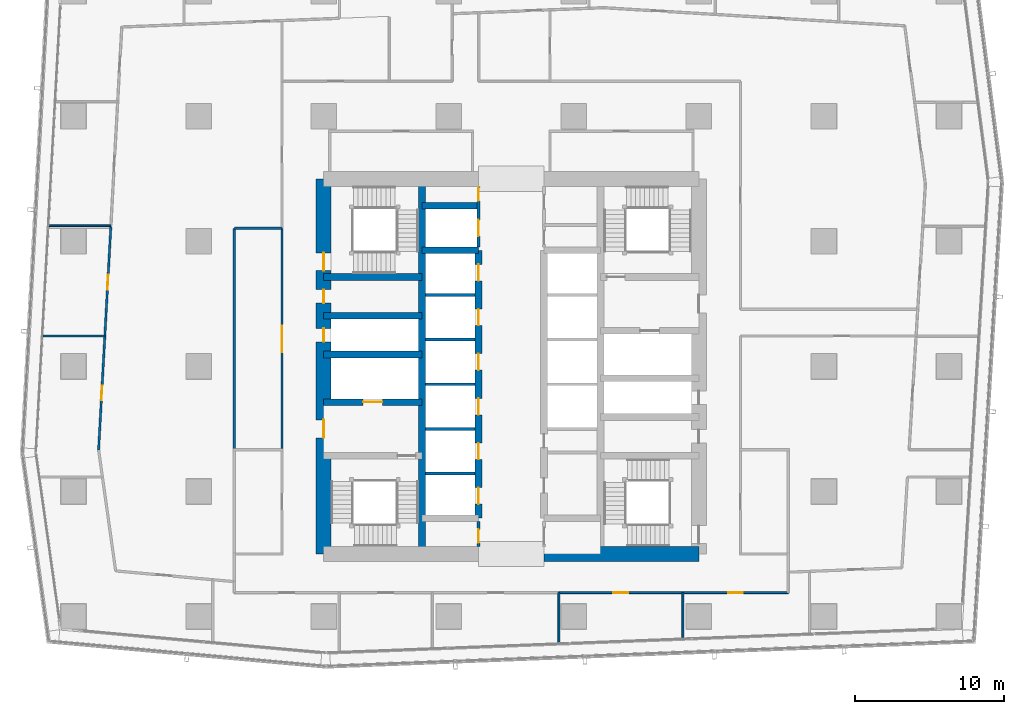
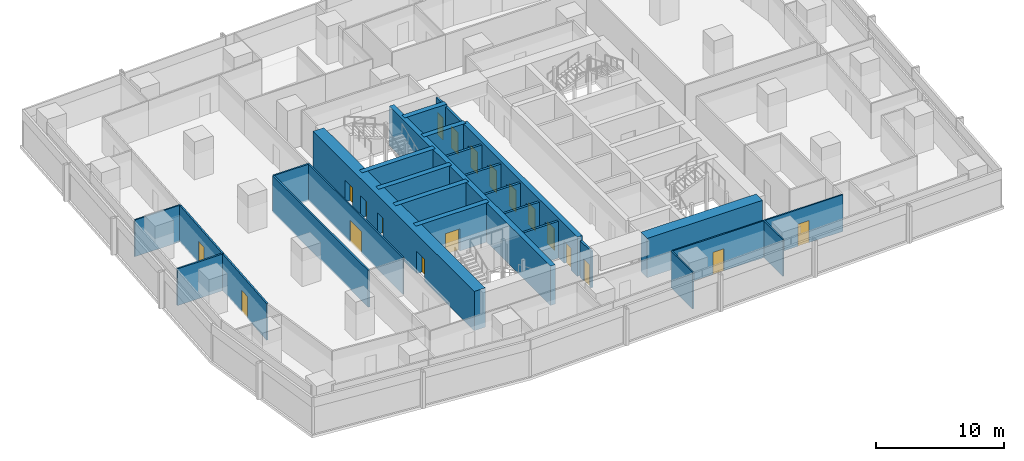
# One storey, part 29 of 40: 28 walls, 19 doors, 19 openings.
"""IFC4 building model written with IfcOpenShell, lengths in metres."""

import ifcopenshell
import ifcopenshell.guid

model = None  # the IFC model being written
_history = None  # IfcOwnerHistory: only IFC2X3 demands one
_inside = {}  # id of a spatial element -> (the spatial element, [elements in it])
_under = {}  # id of a project, library or spatial element -> (it, [spatial elements below it])
_declared = {}  # id of a project -> (the project, [libraries it declares])
_typed = {}  # id of a type object -> (the type object, [elements of that type])
_made_of = {}  # id of a material, layer set ... -> (it, [elements and type objects made of it])


def new_model(schema):
    """Start an empty IFC model of exactly this schema.

    Asked for "IFC4X3", IfcOpenShell would pick the latest addendum, in which some entities
    have other attributes; the version numbers below select the first issue.
    IFC2X3 requires an IfcOwnerHistory on every rooted entity: one is made here for all.
    """
    global model, _history
    if schema == "IFC4X3":
        model = ifcopenshell.file(schema_version=(4, 3, 0, 0))
    else:
        model = ifcopenshell.file(schema=schema)
    _inside.clear()
    _under.clear()
    _declared.clear()
    _typed.clear()
    _made_of.clear()
    _history = None
    if model.schema == "IFC2X3":
        org = make("IfcOrganization", Name="unknown")
        user = make(
            "IfcPersonAndOrganization",
            ThePerson=make("IfcPerson", FamilyName="unknown"),
            TheOrganization=org,
        )
        app = make(
            "IfcApplication",
            ApplicationDeveloper=org,
            Version="unknown",
            ApplicationFullName="unknown",
            ApplicationIdentifier="unknown",
        )
        _history = make(
            "IfcOwnerHistory",
            OwningUser=user,
            OwningApplication=app,
            ChangeAction="ADDED",
            CreationDate=0,
        )
    return model


def make(cls, **values):
    """One entity of the class cls with the attributes given. An attribute that is None is left unset."""
    return model.create_entity(
        cls, **{name: value for name, value in values.items() if value is not None}
    )


def rooted(cls, **values):
    """An entity with a GlobalId (a new one), such as an element, a storey or a relation."""
    return make(cls, GlobalId=ifcopenshell.guid.new(), OwnerHistory=_history, **values)


def si_unit(unit_type, name, prefix=None):
    """IfcSIUnit, for example si_unit("LENGTHUNIT", "METRE", prefix="MILLI")."""
    return make("IfcSIUnit", UnitType=unit_type, Prefix=prefix, Name=name)


def assignment(units):
    """IfcUnitAssignment: the units of a project."""
    return None if units is None else make("IfcUnitAssignment", Units=units)


def point(xyz):
    """IfcCartesianPoint."""
    return None if xyz is None else make("IfcCartesianPoint", Coordinates=xyz)


def direction(xyz):
    """IfcDirection."""
    return None if xyz is None else make("IfcDirection", DirectionRatios=xyz)


def frame(location, z_axis=None, x_axis=None):
    """IfcAxis2Placement3D, a coordinate frame: its origin and axes. An axis left out is left unset."""
    return make(
        "IfcAxis2Placement3D",
        Location=point(location),
        Axis=direction(z_axis),
        RefDirection=direction(x_axis),
    )


def frame_2d(location, x_axis=None):
    """IfcAxis2Placement2D, a coordinate frame in the plane: its origin and x axis."""
    return make(
        "IfcAxis2Placement2D", Location=point(location), RefDirection=direction(x_axis)
    )


def origin():
    """The frame at (0, 0, 0) with its axes left unset."""
    return frame((0.0, 0.0, 0.0))


def place(relative_to, where):
    """IfcLocalPlacement: puts the frame where relative to a parent placement (None: the world)."""
    return make(
        "IfcLocalPlacement", PlacementRelTo=relative_to, RelativePlacement=where
    )


def context(
    kind, dimensions, precision=None, world=None, true_north=None, identifier=None
):
    """IfcGeometricRepresentationContext, for example the 3D "Model" context."""
    return make(
        "IfcGeometricRepresentationContext",
        ContextIdentifier=identifier,
        ContextType=kind,
        CoordinateSpaceDimension=dimensions,
        Precision=precision,
        WorldCoordinateSystem=world,
        TrueNorth=true_north,
    )


def subcontext(parent, identifier, kind, view, scale=None):
    """IfcGeometricRepresentationSubContext, for example "Body" below "Model"."""
    return make(
        "IfcGeometricRepresentationSubContext",
        ContextIdentifier=identifier,
        ContextType=kind,
        ParentContext=parent,
        TargetScale=scale,
        TargetView=view,
    )


def project(units=None, contexts=None):
    """IfcProject with its units and contexts."""
    return rooted(
        "IfcProject",
        Name="project",
        RepresentationContexts=contexts,
        UnitsInContext=assignment(units),
    )


def spatial(cls, under=None, at=None, **own):
    """A site, building, storey or space (cls), placed at a placement, below another one or the project."""
    s = rooted(cls, ObjectPlacement=at, **own)
    if under is not None:
        _under.setdefault(under.id(), (under, []))[1].append(s)
    return s


def profile(cls, at=None, kind="AREA", **sizes):
    """A parametric profile (cls). Its sizes go by their IFC names, for example OverallWidth=200.0."""
    return make(cls, ProfileType=kind, Position=at, **sizes)


def rectangle(**sizes):
    """IfcRectangleProfileDef."""
    return profile("IfcRectangleProfileDef", **sizes)


def extrude(swept, where, along, depth):
    """IfcExtrudedAreaSolid: the profile swept, set in the frame where, extruded along a direction by depth."""
    return make(
        "IfcExtrudedAreaSolid",
        SweptArea=swept,
        Position=where,
        ExtrudedDirection=direction(along),
        Depth=depth,
    )


def shape(context_of_items, identifier, shape_type, items):
    """IfcShapeRepresentation: the items that make up one representation, for example the "Body"."""
    return make(
        "IfcShapeRepresentation",
        ContextOfItems=context_of_items,
        RepresentationIdentifier=identifier,
        RepresentationType=shape_type,
        Items=items,
    )


def material(Name=None, Category=None):
    """IfcMaterial."""
    return make("IfcMaterial", Name=Name, Category=Category)


def layer(
    of_material, thickness, ventilated=None, Name=None, Category=None, Priority=None
):
    """IfcMaterialLayer: one layer of a wall or slab, of a material (None: an air gap)."""
    return make(
        "IfcMaterialLayer",
        Material=of_material,
        LayerThickness=thickness,
        IsVentilated=ventilated,
        Name=Name,
        Category=Category,
        Priority=Priority,
    )


def layer_set(layers, Name=None):
    """IfcMaterialLayerSet."""
    return make("IfcMaterialLayerSet", MaterialLayers=layers, LayerSetName=Name)


def made_of(thing, what):
    """Note that an element or type object is made of a material, layer set ...; save() writes the relation."""
    if what is not None:
        _made_of.setdefault(what.id(), (what, []))[1].append(thing)
    return thing


def type_object(cls, material=None, **own):
    """A type object (cls), such as IfcWallType, which elements share."""
    return made_of(rooted(cls, **own), material)


def element(
    cls,
    number,
    at=None,
    inside=None,
    cuts=None,
    type_object=None,
    material=None,
    context=None,
    identifier="Body",
    shape_type=None,
    held_by="IfcProductDefinitionShape",
    body=None,
    shapes=None,
    **own,
):
    """One element of the class cls, such as IfcWall. Its Tag is "e" and its number.

    at: its placement. inside: the storey or other place that contains it. cuts: it is an
    opening in that element (IfcRelVoidsElement). A single representation is given by context,
    identifier, shape_type and body (its items); several are given by shapes. held_by: the class
    of the entity that holds the representations. save() writes the other relations.
    """
    e = rooted(cls, Tag="e%d" % number, ObjectPlacement=at, **own)
    if body is not None:
        shapes = [shape(context, identifier, shape_type, body)]
    if shapes is not None:
        e.Representation = make(held_by, Representations=shapes)
    if inside is not None:
        _inside.setdefault(inside.id(), (inside, []))[1].append(e)
    if cuts is not None:
        rooted(
            "IfcRelVoidsElement", RelatingBuildingElement=cuts, RelatedOpeningElement=e
        )
    if type_object is not None:
        _typed.setdefault(type_object.id(), (type_object, []))[1].append(e)
    return made_of(e, material)


def fill(opening, filler):
    """IfcRelFillsElement: the door or window that sits in an opening."""
    return rooted(
        "IfcRelFillsElement",
        RelatingOpeningElement=opening,
        RelatedBuildingElement=filler,
    )


def aggregate(whole, parts):
    """IfcRelAggregates: a whole, such as a stair, and the parts it consists of."""
    return rooted("IfcRelAggregates", RelatingObject=whole, RelatedObjects=parts)


def save(model, path):
    """Write the relations noted so far, then the file.

    IfcRelAggregates (storeys below a building ...), IfcRelContainedInSpatialStructure (elements
    in a storey), IfcRelDefinesByType, IfcRelAssociatesMaterial and IfcRelDeclares: one each for
    every whole, place, type object, material and project.
    """
    for whole, parts in _under.values():
        aggregate(whole, parts)
    for where, things in _inside.values():
        rooted(
            "IfcRelContainedInSpatialStructure",
            RelatedElements=things,
            RelatingStructure=where,
        )
    for kind, things in _typed.values():
        rooted("IfcRelDefinesByType", RelatedObjects=things, RelatingType=kind)
    for what, things in _made_of.values():
        rooted("IfcRelAssociatesMaterial", RelatedObjects=things, RelatingMaterial=what)
    for by, libraries in _declared.values():
        rooted("IfcRelDeclares", RelatingContext=by, RelatedDefinitions=libraries)
    model.write(path)


model = new_model("IFC4")

# Units and contexts
model_context = context("Model", 3, precision=1e-05, world=origin(), true_north=direction((0.0, 1.0)))
body_context = subcontext(model_context, "Body", "Model", "MODEL_VIEW")
ifc_project = project(units=[si_unit("LENGTHUNIT", "METRE"), si_unit("AREAUNIT", "SQUARE_METRE"), si_unit("VOLUMEUNIT", "CUBIC_METRE"), si_unit("PLANEANGLEUNIT", "RADIAN"), si_unit("MASSUNIT", "GRAM", prefix="KILO")], contexts=[model_context])

# Site, building, storey
site_placement = place(None, origin())
site = spatial("IfcSite", under=ifc_project, at=site_placement, CompositionType="ELEMENT")
building_placement = place(site_placement, origin())
building = spatial("IfcBuilding", under=site, at=building_placement, Name="Rekha Terrace Tower", CompositionType="ELEMENT")
storey_placement = place(building_placement, frame((0.0, 0.0, 121.550048828125)))
storey = spatial("IfcBuildingStorey", under=building, at=storey_placement, Name="L30", CompositionType="ELEMENT", Elevation=121.550048828125)

# Wall
ifc_material_1 = material(Name="Concrete M70", Category="concrete")
ifc_layer_1 = layer(ifc_material_1, 0.449951171875)
ifc_layer_set_1 = layer_set([ifc_layer_1], Name="Concrete M70")
wall_type_1 = type_object("IfcWallType", Name="CI2 450 core internal shear wall", PredefinedType="SHEAR", material=ifc_layer_set_1)
wall_1_placement = place(storey_placement, frame((31.800048828125, 21.0, 0.0), z_axis=(0.0, 0.0, 1.0), x_axis=(0.0, 1.0, 0.0)))
element("IfcWall", 1, at=wall_1_placement, inside=storey, type_object=wall_type_1, Name="Core wall X318 L30", PredefinedType="SHEAR", context=body_context, shape_type="SweptSolid", body=[
    extrude(rectangle(XDim=25.199951171875, YDim=0.449951171875, at=frame_2d((12.60009765625, 0.0))), origin(), (0.0, 0.0, 1.0), 3.75),
])

# Wall, openings, doors
wall_2_placement = place(storey_placement, frame((35.60009765625, 23.39990234375, 0.0), z_axis=(0.0, 0.0, 1.0), x_axis=(0.0, 1.0, 0.0)))
wall_2 = element("IfcWall", 2, at=wall_2_placement, inside=storey, type_object=wall_type_1, Name="Core wall X356 L30", PredefinedType="SHEAR", context=body_context, shape_type="SweptSolid", body=[
    extrude(rectangle(XDim=18.0, YDim=0.449951171875, at=frame_2d((9.0, 0.0))), origin(), (0.0, 0.0, 1.0), 3.75),
])
opening_1_placement = place(wall_2_placement, frame((0.949951171875, 0.0, 0.0)))
opening_1 = element("IfcOpeningElement", 3, at=opening_1_placement, cuts=wall_2, Name="Opening LD1", PredefinedType="OPENING", context=body_context, shape_type="SweptSolid", body=[
    extrude(rectangle(XDim=1.10009765625, YDim=2.10009765625, at=frame_2d((0.550048828125, 1.050048828125))), frame((0.0, 0.23486328125, 0.0), z_axis=(0.0, -1.0, 0.0), x_axis=(1.0, 0.0, 0.0)), (0.0, 0.0, 1.0), 0.469970703125),
])
opening_2_placement = place(wall_2_placement, frame((3.949951171875, 0.0, 0.0)))
opening_2 = element("IfcOpeningElement", 4, at=opening_2_placement, cuts=wall_2, Name="Opening LD1", PredefinedType="OPENING", context=body_context, shape_type="SweptSolid", body=[
    extrude(rectangle(XDim=1.10009765625, YDim=2.10009765625, at=frame_2d((0.550048828125, 1.050048828125))), frame((0.0, 0.23486328125, 0.0), z_axis=(0.0, -1.0, 0.0), x_axis=(1.0, 0.0, 0.0)), (0.0, 0.0, 1.0), 0.469970703125),
])
opening_3_placement = place(wall_2_placement, frame((6.949951171875, 0.0, 0.0)))
opening_3 = element("IfcOpeningElement", 5, at=opening_3_placement, cuts=wall_2, Name="Opening LD1", PredefinedType="OPENING", context=body_context, shape_type="SweptSolid", body=[
    extrude(rectangle(XDim=1.10009765625, YDim=2.10009765625, at=frame_2d((0.550048828125, 1.050048828125))), frame((0.0, 0.23486328125, 0.0), z_axis=(0.0, -1.0, 0.0), x_axis=(1.0, 0.0, 0.0)), (0.0, 0.0, 1.0), 0.469970703125),
])
opening_4_placement = place(wall_2_placement, frame((9.949951171875, 0.0, 0.0)))
opening_4 = element("IfcOpeningElement", 6, at=opening_4_placement, cuts=wall_2, Name="Opening LD1", PredefinedType="OPENING", context=body_context, shape_type="SweptSolid", body=[
    extrude(rectangle(XDim=1.10009765625, YDim=2.10009765625, at=frame_2d((0.550048828125, 1.050048828125))), frame((0.0, 0.23486328125, 0.0), z_axis=(0.0, -1.0, 0.0), x_axis=(1.0, 0.0, 0.0)), (0.0, 0.0, 1.0), 0.469970703125),
])
opening_5_placement = place(wall_2_placement, frame((12.949951171875, 0.0, 0.0)))
opening_5 = element("IfcOpeningElement", 7, at=opening_5_placement, cuts=wall_2, Name="Opening LD1", PredefinedType="OPENING", context=body_context, shape_type="SweptSolid", body=[
    extrude(rectangle(XDim=1.10009765625, YDim=2.10009765625, at=frame_2d((0.550048828125, 1.050048828125))), frame((0.0, 0.23486328125, 0.0), z_axis=(0.0, -1.0, 0.0), x_axis=(1.0, 0.0, 0.0)), (0.0, 0.0, 1.0), 0.469970703125),
])
opening_6_placement = place(wall_2_placement, frame((15.949951171875, 0.0, 0.0)))
opening_6 = element("IfcOpeningElement", 8, at=opening_6_placement, cuts=wall_2, Name="Opening LD1", PredefinedType="OPENING", context=body_context, shape_type="SweptSolid", body=[
    extrude(rectangle(XDim=1.10009765625, YDim=2.10009765625, at=frame_2d((0.550048828125, 1.050048828125))), frame((0.0, 0.23486328125, 0.0), z_axis=(0.0, -1.0, 0.0), x_axis=(1.0, 0.0, 0.0)), (0.0, 0.0, 1.0), 0.469970703125),
])
ifc_material_2 = material(Name="Stainless steel sliding landing door", Category="steel")
door_type_1 = type_object("IfcDoorType", Name="LD1 1100x2100 lift landing door", OperationType="SLIDING_TO_LEFT", PredefinedType="USERDEFINED", material=ifc_material_2)
door_1_placement = place(opening_1_placement, origin())
door_1 = element("IfcDoor", 9, at=door_1_placement, inside=storey, type_object=door_type_1, Name="Lift B1 landing door L30", ObjectType="LIFT LANDING DOOR", OperationType="SLIDING_TO_LEFT", OverallHeight=2.10009765625, OverallWidth=1.10009765625, PredefinedType="USERDEFINED", context=body_context, shape_type="SweptSolid", body=[
    extrude(rectangle(XDim=1.10009765625, YDim=2.10009765625, at=frame_2d((0.550048828125, 1.050048828125))), frame((0.0, 0.02490234375, 0.0), z_axis=(0.0, -1.0, 0.0), x_axis=(1.0, 0.0, 0.0)), (0.0, 0.0, 1.0), 0.050048828125),
])
fill(opening_1, door_1)
door_2_placement = place(opening_2_placement, origin())
door_2 = element("IfcDoor", 10, at=door_2_placement, inside=storey, type_object=door_type_1, Name="Lift B2 landing door L30", ObjectType="LIFT LANDING DOOR", OperationType="SLIDING_TO_LEFT", OverallHeight=2.10009765625, OverallWidth=1.10009765625, PredefinedType="USERDEFINED", context=body_context, shape_type="SweptSolid", body=[
    extrude(rectangle(XDim=1.10009765625, YDim=2.10009765625, at=frame_2d((0.550048828125, 1.050048828125))), frame((0.0, 0.02490234375, 0.0), z_axis=(0.0, -1.0, 0.0), x_axis=(1.0, 0.0, 0.0)), (0.0, 0.0, 1.0), 0.050048828125),
])
fill(opening_2, door_2)
door_3_placement = place(opening_3_placement, origin())
door_3 = element("IfcDoor", 11, at=door_3_placement, inside=storey, type_object=door_type_1, Name="Lift B3 landing door L30", ObjectType="LIFT LANDING DOOR", OperationType="SLIDING_TO_LEFT", OverallHeight=2.10009765625, OverallWidth=1.10009765625, PredefinedType="USERDEFINED", context=body_context, shape_type="SweptSolid", body=[
    extrude(rectangle(XDim=1.10009765625, YDim=2.10009765625, at=frame_2d((0.550048828125, 1.050048828125))), frame((0.0, 0.02490234375, 0.0), z_axis=(0.0, -1.0, 0.0), x_axis=(1.0, 0.0, 0.0)), (0.0, 0.0, 1.0), 0.050048828125),
])
fill(opening_3, door_3)
door_4_placement = place(opening_4_placement, origin())
door_4 = element("IfcDoor", 12, at=door_4_placement, inside=storey, type_object=door_type_1, Name="Lift B4 landing door L30", ObjectType="LIFT LANDING DOOR", OperationType="SLIDING_TO_LEFT", OverallHeight=2.10009765625, OverallWidth=1.10009765625, PredefinedType="USERDEFINED", context=body_context, shape_type="SweptSolid", body=[
    extrude(rectangle(XDim=1.10009765625, YDim=2.10009765625, at=frame_2d((0.550048828125, 1.050048828125))), frame((0.0, 0.02490234375, 0.0), z_axis=(0.0, -1.0, 0.0), x_axis=(1.0, 0.0, 0.0)), (0.0, 0.0, 1.0), 0.050048828125),
])
fill(opening_4, door_4)
door_5_placement = place(opening_5_placement, origin())
door_5 = element("IfcDoor", 13, at=door_5_placement, inside=storey, type_object=door_type_1, Name="Lift B5 landing door L30", ObjectType="LIFT LANDING DOOR", OperationType="SLIDING_TO_LEFT", OverallHeight=2.10009765625, OverallWidth=1.10009765625, PredefinedType="USERDEFINED", context=body_context, shape_type="SweptSolid", body=[
    extrude(rectangle(XDim=1.10009765625, YDim=2.10009765625, at=frame_2d((0.550048828125, 1.050048828125))), frame((0.0, 0.02490234375, 0.0), z_axis=(0.0, -1.0, 0.0), x_axis=(1.0, 0.0, 0.0)), (0.0, 0.0, 1.0), 0.050048828125),
])
fill(opening_5, door_5)
door_6_placement = place(opening_6_placement, origin())
door_6 = element("IfcDoor", 14, at=door_6_placement, inside=storey, type_object=door_type_1, Name="Lift B6 landing door L30", ObjectType="LIFT LANDING DOOR", OperationType="SLIDING_TO_LEFT", OverallHeight=2.10009765625, OverallWidth=1.10009765625, PredefinedType="USERDEFINED", context=body_context, shape_type="SweptSolid", body=[
    extrude(rectangle(XDim=1.10009765625, YDim=2.10009765625, at=frame_2d((0.550048828125, 1.050048828125))), frame((0.0, 0.02490234375, 0.0), z_axis=(0.0, -1.0, 0.0), x_axis=(1.0, 0.0, 0.0)), (0.0, 0.0, 1.0), 0.050048828125),
])
fill(opening_6, door_6)

# Walls
for number, where, z_axis, x_axis, name in (
    (15, (31.800048828125, 41.39990234375, 0.0), (0.0, 0.0, 1.0), (1.0, 0.0, 0.0), "Core wall Y414W L30"),
    (16, (31.800048828125, 44.39990234375, 0.0), (0.0, 0.0, 1.0), (1.0, 0.0, 0.0), "Core wall Y444W L30"),
):
    element("IfcWall", number, at=place(storey_placement, frame(where, z_axis=z_axis, x_axis=x_axis)), inside=storey, type_object=wall_type_1, Name=name, PredefinedType="SHEAR", context=body_context, shape_type="SweptSolid", body=[
        extrude(rectangle(XDim=3.800048828125, YDim=0.449951171875, at=frame_2d((1.89990234375, 0.0))), origin(), (0.0, 0.0, 1.0), 3.75),
    ])

# Wall, opening, door
wall_3_placement = place(storey_placement, frame((25.199951171875, 31.199951171875, 0.0), z_axis=(0.0, 0.0, 1.0), x_axis=(1.0, 0.0, 0.0)))
wall_3 = element("IfcWall", 17, at=wall_3_placement, inside=storey, type_object=wall_type_1, Name="Core wall Y312W L30", PredefinedType="SHEAR", context=body_context, shape_type="SweptSolid", body=[
    extrude(rectangle(XDim=6.60009765625, YDim=0.449951171875, at=frame_2d((3.300048828125, 0.0))), origin(), (0.0, 0.0, 1.0), 3.75),
])
opening_7_placement = place(wall_3_placement, frame((2.64990234375, 0.0, 0.0)))
opening_7 = element("IfcOpeningElement", 18, at=opening_7_placement, cuts=wall_3, Name="Opening LD2", PredefinedType="OPENING", context=body_context, shape_type="SweptSolid", body=[
    extrude(rectangle(XDim=1.300048828125, YDim=2.10009765625, at=frame_2d((0.64990234375, 1.050048828125))), frame((0.0, 0.23486328125, 0.0), z_axis=(0.0, -1.0, 0.0), x_axis=(1.0, 0.0, 0.0)), (0.0, 0.0, 1.0), 0.469970703125),
])
door_type_2 = type_object("IfcDoorType", Name="LD2 1300x2100 fire lift landing door", OperationType="SLIDING_TO_LEFT", PredefinedType="USERDEFINED", material=ifc_material_2)
door_7_placement = place(opening_7_placement, origin())
door_7 = element("IfcDoor", 19, at=door_7_placement, inside=storey, type_object=door_type_2, Name="Lift FL1 landing door L30", ObjectType="LIFT LANDING DOOR", OperationType="SLIDING_TO_LEFT", OverallHeight=2.10009765625, OverallWidth=1.300048828125, PredefinedType="USERDEFINED", context=body_context, shape_type="SweptSolid", body=[
    extrude(rectangle(XDim=1.300048828125, YDim=2.10009765625, at=frame_2d((0.64990234375, 1.050048828125))), frame((0.0, 0.02490234375, 0.0), z_axis=(0.0, -1.0, 0.0), x_axis=(1.0, 0.0, 0.0)), (0.0, 0.0, 1.0), 0.050048828125),
])
fill(opening_7, door_7)

# Walls
for number, where, z_axis, x_axis, name in (
    (20, (25.199951171875, 34.39990234375, 0.0), (0.0, 0.0, 1.0), (1.0, 0.0, 0.0), "Core wall Y344W L30"),
    (21, (25.199951171875, 37.0, 0.0), (0.0, 0.0, 1.0), (1.0, 0.0, 0.0), "Core wall Y370W L30"),
    (22, (25.199951171875, 39.60009765625, 0.0), (0.0, 0.0, 1.0), (1.0, 0.0, 0.0), "Core wall Y396W L30"),
):
    element("IfcWall", number, at=place(storey_placement, frame(where, z_axis=z_axis, x_axis=x_axis)), inside=storey, type_object=wall_type_1, Name=name, PredefinedType="SHEAR", context=body_context, shape_type="SweptSolid", body=[
        extrude(rectangle(XDim=6.60009765625, YDim=0.449951171875, at=frame_2d((3.300048828125, 0.0))), origin(), (0.0, 0.0, 1.0), 3.75),
    ])
ifc_layer_2 = layer(ifc_material_1, 1.0)
ifc_layer_set_2 = layer_set([ifc_layer_2], Name="Concrete M70")
wall_type_2 = type_object("IfcWallType", Name="SW2 1000 core outer shear wall", PredefinedType="SHEAR", material=ifc_layer_set_2)
wall_4_placement = place(storey_placement, frame((40.0, 21.0, 0.0), z_axis=(0.0, 0.0, 1.0), x_axis=(1.0, 0.0, 0.0)))
element("IfcWall", 23, at=wall_4_placement, inside=storey, type_object=wall_type_2, Name="Core wall S2 L30", PredefinedType="SHEAR", context=body_context, shape_type="SweptSolid", body=[
    extrude(rectangle(XDim=10.39990234375, YDim=1.0, at=frame_2d((5.199951171875, 0.0))), origin(), (0.0, 0.0, 1.0), 3.75),
])

# Wall, openings, doors
wall_5_placement = place(storey_placement, frame((25.199951171875, 21.0, 0.0), z_axis=(0.0, 0.0, 1.0), x_axis=(0.0, 1.0, 0.0)))
wall_5 = element("IfcWall", 24, at=wall_5_placement, inside=storey, type_object=wall_type_2, Name="Core wall W L30", PredefinedType="SHEAR", context=body_context, shape_type="SweptSolid", body=[
    extrude(rectangle(XDim=25.199951171875, YDim=1.0, at=frame_2d((12.60009765625, 0.0))), origin(), (0.0, 0.0, 1.0), 3.75),
])
opening_8_placement = place(wall_5_placement, frame((7.800048828125, 0.0, 0.0)))
opening_8 = element("IfcOpeningElement", 25, at=opening_8_placement, cuts=wall_5, Name="Opening D2", PredefinedType="OPENING", context=body_context, shape_type="SweptSolid", body=[
    extrude(rectangle(XDim=1.199951171875, YDim=2.10009765625, at=frame_2d((0.60009765625, 1.050048828125))), frame((0.0, 0.510009765625, 0.0), z_axis=(0.0, -1.0, 0.0), x_axis=(1.0, 0.0, 0.0)), (0.0, 0.0, 1.0), 1.02001953125),
])
opening_9_placement = place(wall_5_placement, frame((14.25, 0.0, 0.0)))
opening_9 = element("IfcOpeningElement", 26, at=opening_9_placement, cuts=wall_5, Name="Opening D5", PredefinedType="OPENING", context=body_context, shape_type="SweptSolid", body=[
    extrude(rectangle(XDim=0.89990234375, YDim=2.10009765625, at=frame_2d((0.449951171875, 1.050048828125))), frame((0.0, 0.510009765625, 0.0), z_axis=(0.0, -1.0, 0.0), x_axis=(1.0, 0.0, 0.0)), (0.0, 0.0, 1.0), 1.02001953125),
])
opening_10_placement = place(wall_5_placement, frame((16.85009765625, 0.0, 0.0)))
opening_10 = element("IfcOpeningElement", 27, at=opening_10_placement, cuts=wall_5, Name="Opening D5", PredefinedType="OPENING", context=body_context, shape_type="SweptSolid", body=[
    extrude(rectangle(XDim=0.89990234375, YDim=2.10009765625, at=frame_2d((0.449951171875, 1.050048828125))), frame((0.0, 0.510009765625, 0.0), z_axis=(0.0, -1.0, 0.0), x_axis=(1.0, 0.0, 0.0)), (0.0, 0.0, 1.0), 1.02001953125),
])
opening_11_placement = place(wall_5_placement, frame((19.02490234375, 0.0, 0.0)))
opening_11 = element("IfcOpeningElement", 28, at=opening_11_placement, cuts=wall_5, Name="Opening D1", PredefinedType="OPENING", context=body_context, shape_type="SweptSolid", body=[
    extrude(rectangle(XDim=1.199951171875, YDim=2.10009765625, at=frame_2d((0.60009765625, 1.050048828125))), frame((0.0, 0.510009765625, 0.0), z_axis=(0.0, -1.0, 0.0), x_axis=(1.0, 0.0, 0.0)), (0.0, 0.0, 1.0), 1.02001953125),
])
ifc_material_3 = material(Name="Steel fire door", Category="steel")
door_type_3 = type_object("IfcDoorType", Name="D1 1200x2100 stair fire door", OperationType="SINGLE_SWING_RIGHT", PredefinedType="DOOR", material=ifc_material_3)
door_8_placement = place(opening_11_placement, origin())
door_8 = element("IfcDoor", 29, at=door_8_placement, inside=storey, type_object=door_type_3, Name="Stair ST4 door L30", OperationType="SINGLE_SWING_RIGHT", OverallHeight=2.10009765625, OverallWidth=1.199951171875, PredefinedType="DOOR", context=body_context, shape_type="SweptSolid", body=[
    extrude(rectangle(XDim=1.199951171875, YDim=2.10009765625, at=frame_2d((0.60009765625, 1.050048828125))), frame((0.0, 0.02490234375, 0.0), z_axis=(0.0, -1.0, 0.0), x_axis=(1.0, 0.0, 0.0)), (0.0, 0.0, 1.0), 0.050048828125),
])
fill(opening_11, door_8)
door_type_4 = type_object("IfcDoorType", Name="D2 1200x2100 firefighting lobby door", OperationType="SINGLE_SWING_LEFT", PredefinedType="DOOR", material=ifc_material_3)
door_9_placement = place(opening_8_placement, origin())
door_9 = element("IfcDoor", 30, at=door_9_placement, inside=storey, type_object=door_type_4, Name="Door flb1 L30", OperationType="SINGLE_SWING_LEFT", OverallHeight=2.10009765625, OverallWidth=1.199951171875, PredefinedType="DOOR", context=body_context, shape_type="SweptSolid", body=[
    extrude(rectangle(XDim=1.199951171875, YDim=2.10009765625, at=frame_2d((0.60009765625, 1.050048828125))), frame((0.0, 0.02490234375, 0.0), z_axis=(0.0, -1.0, 0.0), x_axis=(1.0, 0.0, 0.0)), (0.0, 0.0, 1.0), 0.050048828125),
])
fill(opening_8, door_9)
door_type_5 = type_object("IfcDoorType", Name="D5 900x2100 riser access door", OperationType="SINGLE_SWING_LEFT", PredefinedType="DOOR", material=ifc_material_3)
door_10_placement = place(opening_9_placement, origin())
door_10 = element("IfcDoor", 31, at=door_10_placement, inside=storey, type_object=door_type_5, Name="Door rs1 L30", OperationType="SINGLE_SWING_LEFT", OverallHeight=2.10009765625, OverallWidth=0.89990234375, PredefinedType="DOOR", context=body_context, shape_type="SweptSolid", body=[
    extrude(rectangle(XDim=0.89990234375, YDim=2.10009765625, at=frame_2d((0.449951171875, 1.050048828125))), frame((0.0, 0.02490234375, 0.0), z_axis=(0.0, -1.0, 0.0), x_axis=(1.0, 0.0, 0.0)), (0.0, 0.0, 1.0), 0.050048828125),
])
fill(opening_9, door_10)
door_11_placement = place(opening_10_placement, origin())
door_11 = element("IfcDoor", 32, at=door_11_placement, inside=storey, type_object=door_type_5, Name="Door elw L30", OperationType="SINGLE_SWING_LEFT", OverallHeight=2.10009765625, OverallWidth=0.89990234375, PredefinedType="DOOR", context=body_context, shape_type="SweptSolid", body=[
    extrude(rectangle(XDim=0.89990234375, YDim=2.10009765625, at=frame_2d((0.449951171875, 1.050048828125))), frame((0.0, 0.02490234375, 0.0), z_axis=(0.0, -1.0, 0.0), x_axis=(1.0, 0.0, 0.0)), (0.0, 0.0, 1.0), 0.050048828125),
])
fill(opening_10, door_11)

# Walls
ifc_material_4 = material(Name="Concrete block masonry, 1 hour", Category="masonry")
ifc_layer_3 = layer(ifc_material_4, 0.14990234375)
ifc_layer_set_3 = layer_set([ifc_layer_3], Name="Concrete block masonry, 1 hour")
wall_type_3 = type_object("IfcWallType", Name="WP2 150 tenancy partition", PredefinedType="PARTITIONING", material=ifc_layer_set_3)
wall_6_placement = place(storey_placement, frame((22.39990234375, 42.873046875, 0.0), z_axis=(0.0, 0.0, 1.0), x_axis=(-1.0, 0.0, 0.0)))
element("IfcWall", 33, at=wall_6_placement, inside=storey, type_object=wall_type_3, Name="Partition L30-O1c", PredefinedType="PARTITIONING", context=body_context, shape_type="SweptSolid", body=[
    extrude(rectangle(XDim=3.199951171875, YDim=0.14990234375, at=frame_2d((1.60009765625, 0.0))), origin(), (0.0, 0.0, 1.0), 3.5),
])
wall_7_placement = place(storey_placement, frame((19.199951171875, 42.873046875, 0.0), z_axis=(0.0, 0.0, 1.0), x_axis=(0.0, -1.0, 0.0)))
element("IfcWall", 34, at=wall_7_placement, inside=storey, type_object=wall_type_3, Name="Partition L30-O1c", PredefinedType="PARTITIONING", context=body_context, shape_type="SweptSolid", body=[
    extrude(rectangle(XDim=14.947998046875, YDim=0.14990234375, at=frame_2d((7.47412109375, 0.0))), origin(), (0.0, 0.0, 1.0), 3.5),
])

# Wall, opening, door
wall_8_placement = place(storey_placement, frame((10.080078125, 27.992919921875, 0.0), z_axis=(0.0, 0.0, 1.0), x_axis=(0.054745561338, 0.998500337263, 0.0)))
wall_8 = element("IfcWall", 35, at=wall_8_placement, inside=storey, type_object=wall_type_3, Name="Partition L30-O1c", PredefinedType="PARTITIONING", context=body_context, shape_type="SweptSolid", body=[
    extrude(rectangle(XDim=7.652587890625, YDim=0.14990234375, at=frame_2d((3.826171875, 0.0))), origin(), (0.0, 0.0, 1.0), 3.5),
])
opening_12_placement = place(wall_8_placement, frame((3.325927734375, 0.0, 0.0)))
opening_12 = element("IfcOpeningElement", 36, at=opening_12_placement, cuts=wall_8, Name="Opening D9", PredefinedType="OPENING", context=body_context, shape_type="SweptSolid", body=[
    extrude(rectangle(XDim=1.0, YDim=2.10009765625, at=frame_2d((0.5, 1.050048828125))), frame((0.0, 0.0849609375, 0.0), z_axis=(0.0, -1.0, 0.0), x_axis=(1.0, 0.0, 0.0)), (0.0, 0.0, 1.0), 0.169921875),
])
ifc_material_5 = material(Name="Timber fire door", Category="wood")
door_type_6 = type_object("IfcDoorType", Name="D9 1000x2100 office door", OperationType="SINGLE_SWING_LEFT", PredefinedType="DOOR", material=ifc_material_5)
door_12_placement = place(opening_12_placement, origin())
door_12 = element("IfcDoor", 37, at=door_12_placement, inside=storey, type_object=door_type_6, Name="Door wellness room L30", OperationType="SINGLE_SWING_LEFT", OverallHeight=2.10009765625, OverallWidth=1.0, PredefinedType="DOOR", context=body_context, shape_type="SweptSolid", body=[
    extrude(rectangle(XDim=1.0, YDim=2.10009765625, at=frame_2d((0.5, 1.050048828125))), frame((0.0, 0.02490234375, 0.0), z_axis=(0.0, -1.0, 0.0), x_axis=(1.0, 0.0, 0.0)), (0.0, 0.0, 1.0), 0.050048828125),
])
fill(opening_12, door_12)

# Wall
wall_9_placement = place(storey_placement, frame((10.4990234375, 35.634033203125, 0.0), z_axis=(0.0, 0.0, 1.0), x_axis=(-1.0, 0.0, 0.0)))
element("IfcWall", 38, at=wall_9_placement, inside=storey, type_object=wall_type_3, Name="Partition L30-O1c", PredefinedType="PARTITIONING", context=body_context, shape_type="SweptSolid", body=[
    extrude(rectangle(XDim=4.156005859375, YDim=0.14990234375, at=frame_2d((2.078125, 0.0))), origin(), (0.0, 0.0, 1.0), 3.5),
])

# Wall, opening, door
wall_10_placement = place(storey_placement, frame((10.4990234375, 35.635009765625, 0.0), z_axis=(0.0, 0.0, 1.0), x_axis=(0.054773615864, 0.9984987987, 0.0)))
wall_10 = element("IfcWall", 39, at=wall_10_placement, inside=storey, type_object=wall_type_3, Name="Partition L30-O1c", PredefinedType="PARTITIONING", context=body_context, shape_type="SweptSolid", body=[
    extrude(rectangle(XDim=7.35888671875, YDim=0.14990234375, at=frame_2d((3.679443359375, 0.0))), origin(), (0.0, 0.0, 1.0), 3.5),
])
opening_13_placement = place(wall_10_placement, frame((3.1240234375, 0.0, 0.0)))
opening_13 = element("IfcOpeningElement", 40, at=opening_13_placement, cuts=wall_10, Name="Opening D9", PredefinedType="OPENING", context=body_context, shape_type="SweptSolid", body=[
    extrude(rectangle(XDim=1.0, YDim=2.10009765625, at=frame_2d((0.5, 1.050048828125))), frame((0.0, 0.0849609375, 0.0), z_axis=(0.0, -1.0, 0.0), x_axis=(1.0, 0.0, 0.0)), (0.0, 0.0, 1.0), 0.169921875),
])
door_13_placement = place(opening_13_placement, origin())
door_13 = element("IfcDoor", 41, at=door_13_placement, inside=storey, type_object=door_type_6, Name="Door breakout lounge L30", OperationType="SINGLE_SWING_LEFT", OverallHeight=2.10009765625, OverallWidth=1.0, PredefinedType="DOOR", context=body_context, shape_type="SweptSolid", body=[
    extrude(rectangle(XDim=1.0, YDim=2.10009765625, at=frame_2d((0.5, 1.050048828125))), frame((0.0, 0.02490234375, 0.0), z_axis=(0.0, -1.0, 0.0), x_axis=(1.0, 0.0, 0.0)), (0.0, 0.0, 1.0), 0.050048828125),
])
fill(opening_13, door_13)

# Walls
ifc_material_6 = material(Name="Two layers of fire-rated gypsum board each side on steel studs, acoustic quilt, 1 hour", Category="steel")
ifc_layer_4 = layer(ifc_material_6, 0.125)
ifc_layer_set_4 = layer_set([ifc_layer_4], Name="Two layers of fire-rated gypsum board each side on steel studs, acoustic quilt, 1 hour")
wall_type_4 = type_object("IfcWallType", Name="WP3 125 office partition", PredefinedType="PARTITIONING", material=ifc_layer_set_4)
wall_11_placement = place(storey_placement, frame((10.905029296875, 43.0458984375, 0.0), z_axis=(0.0, 0.0, 1.0), x_axis=(-1.0, 0.0, 0.0)))
element("IfcWall", 42, at=wall_11_placement, inside=storey, type_object=wall_type_4, Name="Partition L30-12", PredefinedType="PARTITIONING", context=body_context, shape_type="SweptSolid", body=[
    extrude(rectangle(XDim=4.1259765625, YDim=0.125, at=frame_2d((2.06298828125, 0.0))), origin(), (0.0, 0.0, 1.0), 3.5),
])
wall_12_placement = place(storey_placement, frame((41.001953125, 15.051025390625, 0.0), z_axis=(0.0, 0.0, 1.0), x_axis=(0.0, 1.0, 0.0)))
element("IfcWall", 43, at=wall_12_placement, inside=storey, type_object=wall_type_4, Name="Partition L30-16", PredefinedType="PARTITIONING", context=body_context, shape_type="SweptSolid", body=[
    extrude(rectangle(XDim=3.348876953125, YDim=0.125, at=frame_2d((1.67431640625, 0.0))), origin(), (0.0, 0.0, 1.0), 3.5),
])

# Wall, opening, door
wall_13_placement = place(storey_placement, frame((41.001953125, 18.39990234375, 0.0), z_axis=(0.0, 0.0, 1.0), x_axis=(1.0, 0.0, 0.0)))
wall_13 = element("IfcWall", 44, at=wall_13_placement, inside=storey, type_object=wall_type_4, Name="Partition L30-16", PredefinedType="PARTITIONING", context=body_context, shape_type="SweptSolid", body=[
    extrude(rectangle(XDim=8.3271484375, YDim=0.125, at=frame_2d((4.16357421875, 0.0))), origin(), (0.0, 0.0, 1.0), 3.5),
])
opening_14_placement = place(wall_13_placement, frame((3.6630859375, 0.0, 0.0)))
opening_14 = element("IfcOpeningElement", 45, at=opening_14_placement, cuts=wall_13, Name="Opening D9", PredefinedType="OPENING", context=body_context, shape_type="SweptSolid", body=[
    extrude(rectangle(XDim=1.0, YDim=2.10009765625, at=frame_2d((0.5, 1.050048828125))), frame((0.0, 0.072509765625, 0.0), z_axis=(0.0, -1.0, 0.0), x_axis=(1.0, 0.0, 0.0)), (0.0, 0.0, 1.0), 0.14501953125),
])
door_14_placement = place(opening_14_placement, origin())
door_14 = element("IfcDoor", 46, at=door_14_placement, inside=storey, type_object=door_type_6, Name="Door office L30", OperationType="SINGLE_SWING_LEFT", OverallHeight=2.10009765625, OverallWidth=1.0, PredefinedType="DOOR", context=body_context, shape_type="SweptSolid", body=[
    extrude(rectangle(XDim=1.0, YDim=2.10009765625, at=frame_2d((0.5, 1.050048828125))), frame((0.0, 0.02490234375, 0.0), z_axis=(0.0, -1.0, 0.0), x_axis=(1.0, 0.0, 0.0)), (0.0, 0.0, 1.0), 0.050048828125),
])
fill(opening_14, door_14)

# Wall
wall_14_placement = place(storey_placement, frame((49.3291015625, 18.39990234375, 0.0), z_axis=(0.0, 0.0, 1.0), x_axis=(0.0, -1.0, 0.0)))
element("IfcWall", 47, at=wall_14_placement, inside=storey, type_object=wall_type_4, Name="Partition L30-16", PredefinedType="PARTITIONING", context=body_context, shape_type="SweptSolid", body=[
    extrude(rectangle(XDim=3.02490234375, YDim=0.125, at=frame_2d((1.512451171875, 0.0))), origin(), (0.0, 0.0, 1.0), 3.5),
])

# Wall, opening, door
wall_15_placement = place(storey_placement, frame((49.330078125, 18.39990234375, 0.0), z_axis=(0.0, 0.0, 1.0), x_axis=(1.0, 0.0, 0.0)))
wall_15 = element("IfcWall", 48, at=wall_15_placement, inside=storey, type_object=wall_type_4, Name="Partition L30-17", PredefinedType="PARTITIONING", context=body_context, shape_type="SweptSolid", body=[
    extrude(rectangle(XDim=7.06982421875, YDim=0.125, at=frame_2d((3.534912109375, 0.0))), origin(), (0.0, 0.0, 1.0), 3.5),
])
opening_15_placement = place(wall_15_placement, frame((3.034912109375, 0.0, 0.0)))
opening_15 = element("IfcOpeningElement", 49, at=opening_15_placement, cuts=wall_15, Name="Opening D9", PredefinedType="OPENING", context=body_context, shape_type="SweptSolid", body=[
    extrude(rectangle(XDim=1.0, YDim=2.10009765625, at=frame_2d((0.5, 1.050048828125))), frame((0.0, 0.072509765625, 0.0), z_axis=(0.0, -1.0, 0.0), x_axis=(1.0, 0.0, 0.0)), (0.0, 0.0, 1.0), 0.14501953125),
])
door_15_placement = place(opening_15_placement, origin())
door_15 = element("IfcDoor", 50, at=door_15_placement, inside=storey, type_object=door_type_6, Name="Door reference library L30", OperationType="SINGLE_SWING_LEFT", OverallHeight=2.10009765625, OverallWidth=1.0, PredefinedType="DOOR", context=body_context, shape_type="SweptSolid", body=[
    extrude(rectangle(XDim=1.0, YDim=2.10009765625, at=frame_2d((0.5, 1.050048828125))), frame((0.0, 0.02490234375, 0.0), z_axis=(0.0, -1.0, 0.0), x_axis=(1.0, 0.0, 0.0)), (0.0, 0.0, 1.0), 0.050048828125),
])
fill(opening_15, door_15)

wall_16_placement = place(storey_placement, frame((22.39990234375, 42.8720703125, 0.0), z_axis=(0.0, 0.0, 1.0), x_axis=(0.0, -1.0, 0.0)))
wall_16 = element("IfcWall", 51, at=wall_16_placement, inside=storey, type_object=wall_type_4, Name="Partition L30-25", PredefinedType="PARTITIONING", context=body_context, shape_type="SweptSolid", body=[
    extrude(rectangle(XDim=14.797119140625, YDim=0.125, at=frame_2d((7.3984375, 0.0))), origin(), (0.0, 0.0, 1.0), 3.5),
])
opening_16_placement = place(wall_16_placement, frame((6.535888671875, 0.0, 0.0)))
opening_16 = element("IfcOpeningElement", 52, at=opening_16_placement, cuts=wall_16, Name="Opening D8", PredefinedType="OPENING", context=body_context, shape_type="SweptSolid", body=[
    extrude(rectangle(XDim=1.800048828125, YDim=2.10009765625, at=frame_2d((0.89990234375, 1.050048828125))), frame((0.0, 0.072509765625, 0.0), z_axis=(0.0, -1.0, 0.0), x_axis=(1.0, 0.0, 0.0)), (0.0, 0.0, 1.0), 0.14501953125),
])
door_type_7 = type_object("IfcDoorType", Name="D8 1800x2100 double leaf door", OperationType="DOUBLE_DOOR_SINGLE_SWING", PredefinedType="DOOR", material=ifc_material_5)
door_16_placement = place(opening_16_placement, origin())
door_16 = element("IfcDoor", 53, at=door_16_placement, inside=storey, type_object=door_type_7, Name="Door reception L30", OperationType="DOUBLE_DOOR_SINGLE_SWING", OverallHeight=2.10009765625, OverallWidth=1.800048828125, PredefinedType="DOOR", context=body_context, shape_type="SweptSolid", body=[
    extrude(rectangle(XDim=1.800048828125, YDim=2.10009765625, at=frame_2d((0.89990234375, 1.050048828125))), frame((0.0, 0.02490234375, 0.0), z_axis=(0.0, -1.0, 0.0), x_axis=(1.0, 0.0, 0.0)), (0.0, 0.0, 1.0), 0.050048828125),
])
fill(opening_16, door_16)

# Walls
ifc_material_7 = material(Name="Solid concrete block masonry, 2 hour", Category="masonry")
ifc_layer_5 = layer(ifc_material_7, 0.199951171875)
ifc_layer_set_5 = layer_set([ifc_layer_5], Name="Solid concrete block masonry, 2 hour")
wall_type_5 = type_object("IfcWallType", Name="WS1 200 stair and shaft enclosure", PredefinedType="PARTITIONING", material=ifc_layer_set_5)
for number, where, z_axis, x_axis, name in (
    (54, (32.02490234375, 26.39990234375, 0.0), (0.0, 0.0, 1.0), (1.0, 0.0, 0.0), "Lift shaft divider L30"),
    (55, (32.02490234375, 29.39990234375, 0.0), (0.0, 0.0, 1.0), (1.0, 0.0, 0.0), "Lift shaft divider L30"),
    (56, (32.02490234375, 32.39990234375, 0.0), (0.0, 0.0, 1.0), (1.0, 0.0, 0.0), "Lift shaft divider L30"),
    (57, (32.02490234375, 35.39990234375, 0.0), (0.0, 0.0, 1.0), (1.0, 0.0, 0.0), "Lift shaft divider L30"),
    (58, (32.02490234375, 38.39990234375, 0.0), (0.0, 0.0, 1.0), (1.0, 0.0, 0.0), "Lift shaft divider L30"),
):
    element("IfcWall", number, at=place(storey_placement, frame(where, z_axis=z_axis, x_axis=x_axis)), inside=storey, type_object=wall_type_5, Name=name, PredefinedType="PARTITIONING", context=body_context, shape_type="SweptSolid", body=[
        extrude(rectangle(XDim=3.35009765625, YDim=0.199951171875, at=frame_2d((1.675048828125, 0.0))), origin(), (0.0, 0.0, 1.0), 3.5),
    ])

# Wall, openings, doors
wall_17_placement = place(storey_placement, frame((35.60009765625, 41.625, 0.0), z_axis=(0.0, 0.0, 1.0), x_axis=(0.0, 1.0, 0.0)))
wall_17 = element("IfcWall", 59, at=wall_17_placement, inside=storey, type_object=wall_type_5, Name="Core partition jansv L30", PredefinedType="PARTITIONING", context=body_context, shape_type="SweptSolid", body=[
    extrude(rectangle(XDim=4.074951171875, YDim=0.199951171875, at=frame_2d((2.03759765625, 0.0))), origin(), (0.0, 0.0, 1.0), 3.5),
])
opening_17_placement = place(wall_17_placement, frame((3.087890625, 0.0, 0.0)))
opening_17 = element("IfcOpeningElement", 60, at=opening_17_placement, cuts=wall_17, Name="Opening D5", PredefinedType="OPENING", context=body_context, shape_type="SweptSolid", body=[
    extrude(rectangle(XDim=0.89990234375, YDim=2.10009765625, at=frame_2d((0.449951171875, 1.050048828125))), frame((0.0, 0.10986328125, 0.0), z_axis=(0.0, -1.0, 0.0), x_axis=(1.0, 0.0, 0.0)), (0.0, 0.0, 1.0), 0.219970703125),
])
opening_18_placement = place(wall_17_placement, frame((0.72509765625, 0.0, 0.0)))
opening_18 = element("IfcOpeningElement", 61, at=opening_18_placement, cuts=wall_17, Name="Opening LD1", PredefinedType="OPENING", context=body_context, shape_type="SweptSolid", body=[
    extrude(rectangle(XDim=1.10009765625, YDim=2.10009765625, at=frame_2d((0.550048828125, 1.050048828125))), frame((0.0, 0.10986328125, 0.0), z_axis=(0.0, -1.0, 0.0), x_axis=(1.0, 0.0, 0.0)), (0.0, 0.0, 1.0), 0.219970703125),
])
door_17_placement = place(opening_17_placement, origin())
door_17 = element("IfcDoor", 62, at=door_17_placement, inside=storey, type_object=door_type_5, Name="Door janitor room L30", OperationType="SINGLE_SWING_LEFT", OverallHeight=2.10009765625, OverallWidth=0.89990234375, PredefinedType="DOOR", context=body_context, shape_type="SweptSolid", body=[
    extrude(rectangle(XDim=0.89990234375, YDim=2.10009765625, at=frame_2d((0.449951171875, 1.050048828125))), frame((0.0, 0.02490234375, 0.0), z_axis=(0.0, -1.0, 0.0), x_axis=(1.0, 0.0, 0.0)), (0.0, 0.0, 1.0), 0.050048828125),
])
fill(opening_17, door_17)
door_18_placement = place(opening_18_placement, origin())
door_18 = element("IfcDoor", 63, at=door_18_placement, inside=storey, type_object=door_type_1, Name="Lift SV1 landing door L30", ObjectType="LIFT LANDING DOOR", OperationType="SLIDING_TO_LEFT", OverallHeight=2.10009765625, OverallWidth=1.10009765625, PredefinedType="USERDEFINED", context=body_context, shape_type="SweptSolid", body=[
    extrude(rectangle(XDim=1.10009765625, YDim=2.10009765625, at=frame_2d((0.550048828125, 1.050048828125))), frame((0.0, 0.02490234375, 0.0), z_axis=(0.0, -1.0, 0.0), x_axis=(1.0, 0.0, 0.0)), (0.0, 0.0, 1.0), 0.050048828125),
])
fill(opening_18, door_18)

# Wall, opening, door
wall_18_placement = place(storey_placement, frame((35.60009765625, 21.5, 0.0), z_axis=(0.0, 0.0, 1.0), x_axis=(0.0, 1.0, 0.0)))
wall_18 = element("IfcWall", 64, at=wall_18_placement, inside=storey, type_object=wall_type_5, Name="Core partition west L30", PredefinedType="PARTITIONING", context=body_context, shape_type="SweptSolid", body=[
    extrude(rectangle(XDim=1.675048828125, YDim=0.199951171875, at=frame_2d((0.83740234375, 0.0))), origin(), (0.0, 0.0, 1.0), 3.5),
])
opening_19_placement = place(wall_18_placement, frame((0.25, 0.0, 0.0)))
opening_19 = element("IfcOpeningElement", 65, at=opening_19_placement, cuts=wall_18, Name="Opening D5", PredefinedType="OPENING", context=body_context, shape_type="SweptSolid", body=[
    extrude(rectangle(XDim=0.89990234375, YDim=2.10009765625, at=frame_2d((0.449951171875, 1.050048828125))), frame((0.0, 0.10986328125, 0.0), z_axis=(0.0, -1.0, 0.0), x_axis=(1.0, 0.0, 0.0)), (0.0, 0.0, 1.0), 0.219970703125),
])
door_19_placement = place(opening_19_placement, origin())
door_19 = element("IfcDoor", 66, at=door_19_placement, inside=storey, type_object=door_type_5, Name="Door cleaner's store L30", OperationType="SINGLE_SWING_LEFT", OverallHeight=2.10009765625, OverallWidth=0.89990234375, PredefinedType="DOOR", context=body_context, shape_type="SweptSolid", body=[
    extrude(rectangle(XDim=0.89990234375, YDim=2.10009765625, at=frame_2d((0.449951171875, 1.050048828125))), frame((0.0, 0.02490234375, 0.0), z_axis=(0.0, -1.0, 0.0), x_axis=(1.0, 0.0, 0.0)), (0.0, 0.0, 1.0), 0.050048828125),
])
fill(opening_19, door_19)

save(model, "model.ifc")
